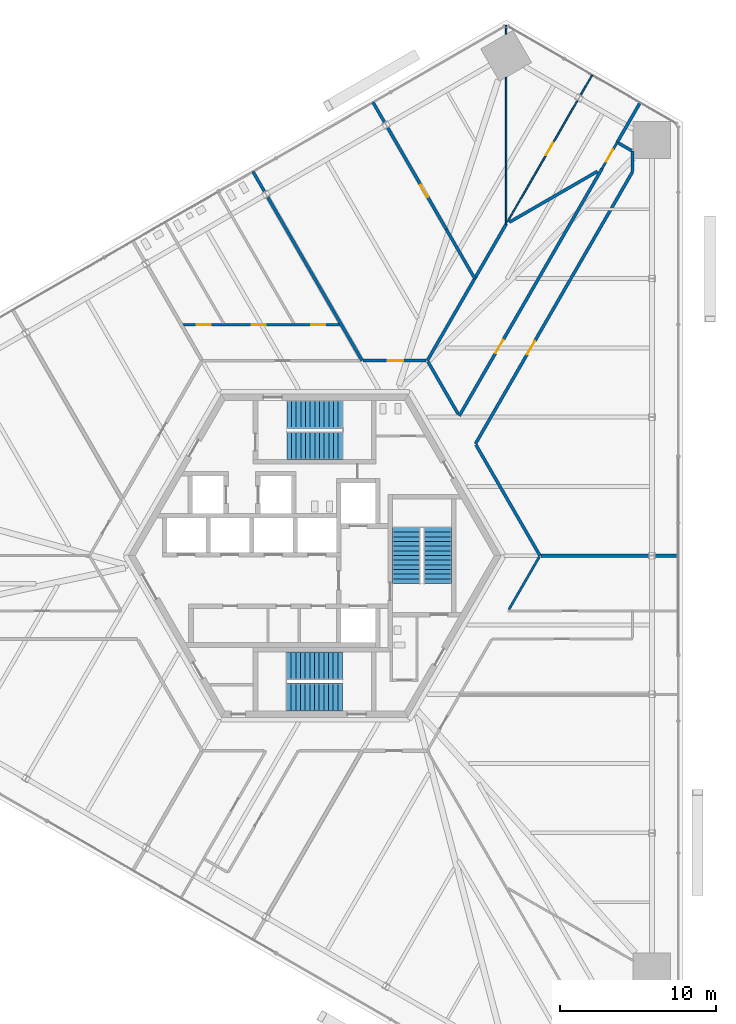
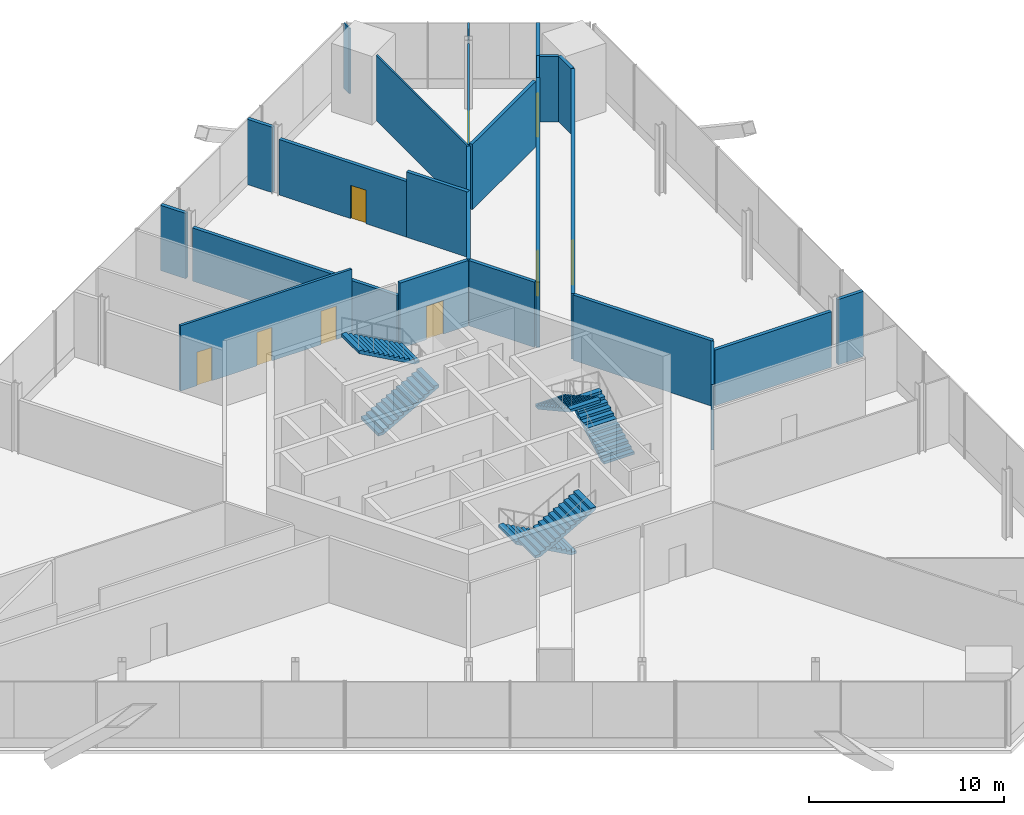
# One storey, part 14 of 16: 24 walls, 9 doors, 6 stair flights, 9 openings, 3 elements without a shape of their own.
"""IFC4 building model written with IfcOpenShell, lengths in metres."""

from ifc_helpers import new_model, si_unit, direction, frame, frame_2d, origin, place, context, subcontext, project, spatial, polyline, rectangle, outline, extrude, source, transform, mapped, material, layer, layer_set, type_object, element, fill, aggregate, save


model = new_model("IFC4")

# Units and contexts
model_context = context("Model", 3, precision=1e-05, world=origin(), true_north=direction((0.0, 1.0)))
body_context = subcontext(model_context, "Body", "Model", "MODEL_VIEW")
ifc_project = project(units=[si_unit("LENGTHUNIT", "METRE"), si_unit("AREAUNIT", "SQUARE_METRE"), si_unit("VOLUMEUNIT", "CUBIC_METRE"), si_unit("PLANEANGLEUNIT", "RADIAN"), si_unit("MASSUNIT", "GRAM", prefix="KILO")], contexts=[model_context])

# Site, building, storey
site_placement = place(None, origin())
site = spatial("IfcSite", under=ifc_project, at=site_placement, CompositionType="ELEMENT")
building_placement = place(site_placement, origin())
building = spatial("IfcBuilding", under=site, at=building_placement, Name="Triune Harvest Tower", CompositionType="ELEMENT")
storey_placement = place(building_placement, frame((0.0, 0.0, 20.300048828125)))
storey = spatial("IfcBuildingStorey", under=building, at=storey_placement, Name="L04", CompositionType="ELEMENT", Elevation=20.300048828125)

# Wall
ifc_material_1 = material(Name="Gypsum board on steel studs", Category="steel")
ifc_layer_1 = layer(ifc_material_1, 0.199951171875)
ifc_layer_set_1 = layer_set([ifc_layer_1], Name="Gypsum board on steel studs")
wall_type_1 = type_object("IfcWallType", Name="Fire Wall 200 mm", PredefinedType="PARTITIONING", material=ifc_layer_set_1)
shared_shape_1 = source(origin(), body_context, "Body", "SweptSolid", [
    extrude(rectangle(XDim=12.14794921875, YDim=0.199951171875, at=frame_2d((6.073974609375, 0.0))), origin(), (0.0, 0.0, 1.0), 3.343017578125),
])
wall_1_placement = place(storey_placement, frame((-3.02685546875, 23.062744140625, 0.0), z_axis=(0.0, 0.0, 1.0), x_axis=(0.499997320042, -0.866026951053, 0.0)))
element("IfcWall", 1, at=wall_1_placement, inside=storey, type_object=wall_type_1, Name="Partition L04 012", PredefinedType="PARTITIONING", context=body_context, shape_type="MappedRepresentation", body=[
    mapped(shared_shape_1, transform((0.0, 0.0, 0.0), scale=1.0)),
])

# Wall, opening, door
shared_shape_2 = source(origin(), body_context, "Body", "SweptSolid", [
    extrude(rectangle(XDim=7.568359375, YDim=0.199951171875, at=frame_2d((3.7841796875, 0.0))), origin(), (0.0, 0.0, 1.0), 3.48779296875),
])
wall_2_placement = place(storey_placement, frame((4.689453125, 27.517578125, 0.0), z_axis=(0.0, 0.0, 1.0), x_axis=(0.499997032024, -0.866027117339, 0.0)))
wall_2 = element("IfcWall", 2, at=wall_2_placement, inside=storey, type_object=wall_type_1, Name="Partition L04 016", PredefinedType="PARTITIONING", context=body_context, shape_type="MappedRepresentation", body=[
    mapped(shared_shape_2, transform((0.0, 0.0, 0.0), scale=1.0)),
])
opening_1_placement = place(wall_2_placement, frame((4.248046875, 0.0, 0.0)))
opening_1 = element("IfcOpeningElement", 3, at=opening_1_placement, cuts=wall_2, Name="Opening L04-008", PredefinedType="OPENING", context=body_context, shape_type="SweptSolid", body=[
    extrude(rectangle(XDim=0.89990234375, YDim=2.10009765625, at=frame_2d((0.449951171875, 1.050048828125))), frame((0.0, 0.10986328125, 0.0), z_axis=(0.0, -1.0, 0.0), x_axis=(1.0, 0.0, 0.0)), (0.0, 0.0, 1.0), 0.219970703125),
])
ifc_material_2 = material(Name="Timber and steel door set", Category="steel")
door_type_1 = type_object("IfcDoorType", Name="Single leaf door FD60 left hand 900 x 2100", OperationType="SINGLE_SWING_LEFT", PredefinedType="DOOR", material=ifc_material_2)
door_1_placement = place(opening_1_placement, origin())
door_1 = element("IfcDoor", 4, at=door_1_placement, inside=storey, type_object=door_type_1, Name="Door L04-008 Cold Store 04.08", OperationType="SINGLE_SWING_LEFT", OverallHeight=2.10009765625, OverallWidth=0.89990234375, PredefinedType="DOOR", context=body_context, shape_type="SweptSolid", body=[
    extrude(rectangle(XDim=0.89990234375, YDim=2.10009765625, at=frame_2d((0.449951171875, 1.050048828125))), frame((0.0, 0.02490234375, 0.0), z_axis=(0.0, -1.0, 0.0), x_axis=(1.0, 0.0, 0.0)), (0.0, 0.0, 1.0), 0.050048828125),
])
fill(opening_1, door_1)

# Walls
shared_shape_3 = source(origin(), body_context, "Body", "SweptSolid", [
    extrude(rectangle(XDim=8.229248046875, YDim=0.199951171875, at=frame_2d((4.11474609375, 0.0))), origin(), (0.0, 0.0, 1.0), 4.099853515625),
])
wall_3_placement = place(storey_placement, frame((10.367919921875, 7.126708984375, 0.0), z_axis=(0.0, 0.0, 1.0), x_axis=(0.500012644715, -0.866018103232, 0.0)))
element("IfcWall", 5, at=wall_3_placement, inside=storey, type_object=wall_type_1, Name="Partition L04 014", PredefinedType="PARTITIONING", context=body_context, shape_type="MappedRepresentation", body=[
    mapped(shared_shape_3, transform((0.0, 0.0, 0.0), scale=1.0)),
])
shared_shape_4 = source(origin(), body_context, "Body", "SweptSolid", [
    extrude(rectangle(XDim=1.49853515625, YDim=0.199951171875, at=frame_2d((0.749267578125, 0.0))), origin(), (0.0, 0.0, 1.0), 4.099853515625),
])
for number, where, z_axis, x_axis, name in (
    (6, (3.746826171875, 29.150146484375, 0.0), (0.0, 0.0, 1.0), (0.499976292358, -0.866039090965, 0.0), "Partition L04 015"),
    (7, (21.872802734375, 0.0, 0.0), (0.0, 0.0, 1.0), (1.0, 0.0, 0.0), "Partition L04 037"),
):
    element("IfcWall", number, at=place(storey_placement, frame(where, z_axis=z_axis, x_axis=x_axis)), inside=storey, type_object=wall_type_1, Name=name, PredefinedType="PARTITIONING", context=body_context, shape_type="MappedRepresentation", body=[
        mapped(shared_shape_4, transform((0.0, 0.0, 0.0), scale=1.0)),
    ])
shared_shape_5 = source(origin(), body_context, "Body", "SweptSolid", [
    extrude(rectangle(XDim=6.933837890625, YDim=0.199951171875, at=frame_2d((3.466796875, 0.0))), origin(), (0.0, 0.0, 1.0), 3.48779296875),
])
wall_4_placement = place(storey_placement, frame((14.552490234375, 0.0, 0.0), z_axis=(0.0, 0.0, 1.0), x_axis=(1.0, 0.0, 0.0)))
element("IfcWall", 8, at=wall_4_placement, inside=storey, type_object=wall_type_1, Name="Partition L04 036", PredefinedType="PARTITIONING", context=body_context, shape_type="MappedRepresentation", body=[
    mapped(shared_shape_5, transform((0.0, 0.0, 0.0), scale=1.0)),
])
ifc_material_3 = material(Name="Gypsum board on steel studs", Category="steel")
ifc_layer_2 = layer(ifc_material_3, 0.10009765625)
ifc_layer_set_2 = layer_set([ifc_layer_2], Name="Gypsum board on steel studs")
wall_type_2 = type_object("IfcWallType", Name="Partition 100 mm", PredefinedType="PARTITIONING", material=ifc_layer_set_2)
shared_shape_6 = source(origin(), body_context, "Body", "SweptSolid", [
    extrude(rectangle(XDim=1.498779296875, YDim=0.10009765625, at=frame_2d((0.74951171875, 0.0))), origin(), (0.0, 0.0, 1.0), 4.099853515625),
])
wall_5_placement = place(storey_placement, frame((17.0908203125, 29.602294921875, 0.0), z_axis=(0.0, 0.0, 1.0), x_axis=(0.499905760005, 0.866079806435, 0.0)))
element("IfcWall", 9, at=wall_5_placement, inside=storey, type_object=wall_type_2, Name="Partition L04 058", PredefinedType="PARTITIONING", context=body_context, shape_type="MappedRepresentation", body=[
    mapped(shared_shape_6, transform((0.0, 0.0, 0.0), scale=1.0)),
])
shared_shape_7 = source(origin(), body_context, "Body", "SweptSolid", [
    extrude(rectangle(XDim=1.498779296875, YDim=0.199951171875, at=frame_2d((0.74951171875, 0.0))), origin(), (0.0, 0.0, 1.0), 4.099853515625),
])
wall_6_placement = place(storey_placement, frame((-3.969482421875, 24.6953125, 0.0), z_axis=(0.0, 0.0, 1.0), x_axis=(0.499905760005, -0.866079806435, 0.0)))
element("IfcWall", 10, at=wall_6_placement, inside=storey, type_object=wall_type_1, Name="Partition L04 011", PredefinedType="PARTITIONING", context=body_context, shape_type="MappedRepresentation", body=[
    mapped(shared_shape_7, transform((0.0, 0.0, 0.0), scale=1.0)),
])
shared_shape_8 = source(origin(), body_context, "Body", "SweptSolid", [
    extrude(rectangle(XDim=3.885009765625, YDim=0.199951171875, at=frame_2d((1.9423828125, 0.0))), origin(), (0.0, 0.0, 1.0), 4.099853515625),
])
wall_7_placement = place(storey_placement, frame((7.2763671875, 12.481689453125, 0.0), z_axis=(0.0, 0.0, 1.0), x_axis=(0.499978127697, -0.866038031396, 0.0)))
element("IfcWall", 11, at=wall_7_placement, inside=storey, type_object=wall_type_1, Name="Partition L04 013", PredefinedType="PARTITIONING", context=body_context, shape_type="MappedRepresentation", body=[
    mapped(shared_shape_8, transform((0.0, 0.0, 0.0), scale=1.0)),
])
shared_shape_9 = source(origin(), body_context, "Body", "SweptSolid", [
    extrude(rectangle(XDim=3.62939453125, YDim=0.199951171875, at=frame_2d((1.814697265625, 0.0))), origin(), (0.0, 0.0, 1.0), 4.099853515625),
])
wall_8_placement = place(storey_placement, frame((8.4736328125, 20.963134765625, 0.0), z_axis=(0.0, 0.0, 1.0), x_axis=(0.500009718699, -0.866019792618, 0.0)))
element("IfcWall", 12, at=wall_8_placement, inside=storey, type_object=wall_type_1, Name="Partition L04 016a", PredefinedType="PARTITIONING", context=body_context, shape_type="MappedRepresentation", body=[
    mapped(shared_shape_9, transform((0.0, 0.0, 0.0), scale=1.0)),
])
shared_shape_10 = source(origin(), body_context, "Body", "SweptSolid", [
    extrude(rectangle(XDim=1.303466796875, YDim=0.199951171875, at=frame_2d((0.65185546875, 0.0))), origin(), (0.0, 0.0, 1.0), 4.099853515625),
])
wall_9_placement = place(storey_placement, frame((20.429443359375, 24.704833984375, 0.0), z_axis=(0.0, 0.0, 1.0), x_axis=(0.0, 1.0, 0.0)))
element("IfcWall", 13, at=wall_9_placement, inside=storey, type_object=wall_type_1, Name="Partition L04 062", PredefinedType="PARTITIONING", context=body_context, shape_type="MappedRepresentation", body=[
    mapped(shared_shape_10, transform((0.0, 0.0, 0.0), scale=1.0)),
])
shared_shape_11 = source(origin(), body_context, "Body", "SweptSolid", [
    extrude(rectangle(XDim=0.9833984375, YDim=0.199951171875, at=frame_2d((0.49169921875, 0.0))), origin(), (0.0, 0.0, 1.0), 4.099853515625),
])
wall_10_placement = place(storey_placement, frame((19.517333984375, 26.534912109375, 0.0), z_axis=(0.0, 0.0, 1.0), x_axis=(0.866003658127, -0.500037662692, 0.0)))
element("IfcWall", 14, at=wall_10_placement, inside=storey, type_object=wall_type_1, Name="Partition L04 021", PredefinedType="PARTITIONING", context=body_context, shape_type="MappedRepresentation", body=[
    mapped(shared_shape_11, transform((0.0, 0.0, 0.0), scale=1.0)),
])
ifc_material_4 = material(Name="Gypsum board on steel studs", Category="steel")
ifc_layer_3 = layer(ifc_material_4, 0.14990234375)
ifc_layer_set_3 = layer_set([ifc_layer_3], Name="Gypsum board on steel studs")
wall_type_3 = type_object("IfcWallType", Name="Fire Partition 150 mm", PredefinedType="PARTITIONING", material=ifc_layer_set_3)
shared_shape_12 = source(origin(), body_context, "Body", "SweptSolid", [
    extrude(rectangle(XDim=3.925048828125, YDim=0.14990234375, at=frame_2d((1.96240234375, 0.0))), origin(), (0.0, 0.0, 1.0), 4.099853515625),
])
wall_11_placement = place(storey_placement, frame((12.485107421875, -3.459716796875, 0.0), z_axis=(0.0, 0.0, 1.0), x_axis=(0.499979109433, 0.866037464623, 0.0)))
element("IfcWall", 15, at=wall_11_placement, inside=storey, type_object=wall_type_3, Name="Partition L04 044", PredefinedType="PARTITIONING", context=body_context, shape_type="MappedRepresentation", body=[
    mapped(shared_shape_12, transform((0.0, 0.0, 0.0), scale=1.0)),
])

# Wall, opening, door
shared_shape_13 = source(origin(), body_context, "Body", "SweptSolid", [
    extrude(rectangle(XDim=4.057861328125, YDim=0.199951171875, at=frame_2d((2.02880859375, 0.0))), origin(), (0.0, 0.0, 1.0), 4.099853515625),
])
wall_12_placement = place(storey_placement, frame((3.113525390625, 12.542236328125, 0.0), z_axis=(0.0, 0.0, 1.0), x_axis=(1.0, 0.0, 0.0)))
wall_12 = element("IfcWall", 16, at=wall_12_placement, inside=storey, type_object=wall_type_1, Name="Partition L04 039", PredefinedType="PARTITIONING", context=body_context, shape_type="MappedRepresentation", body=[
    mapped(shared_shape_13, transform((0.0, 0.0, 0.0), scale=1.0)),
])
opening_2_placement = place(wall_12_placement, frame((1.57763671875, 0.0, 0.0)))
opening_2 = element("IfcOpeningElement", 17, at=opening_2_placement, cuts=wall_12, Name="Opening L04-009", PredefinedType="OPENING", context=body_context, shape_type="SweptSolid", body=[
    extrude(rectangle(XDim=1.0, YDim=2.10009765625, at=frame_2d((0.5, 1.050048828125))), frame((0.0, 0.10986328125, 0.0), z_axis=(0.0, -1.0, 0.0), x_axis=(1.0, 0.0, 0.0)), (0.0, 0.0, 1.0), 0.219970703125),
])
ifc_material_5 = material(Name="Timber and steel door set", Category="steel")
door_type_2 = type_object("IfcDoorType", Name="Wide single leaf door FD60 right hand 1000 x 2100", OperationType="SINGLE_SWING_RIGHT", PredefinedType="DOOR", material=ifc_material_5)
door_2_placement = place(opening_2_placement, origin())
door_2 = element("IfcDoor", 18, at=door_2_placement, inside=storey, type_object=door_type_2, Name="Door L04-009 Growing Room 04.09", OperationType="SINGLE_SWING_RIGHT", OverallHeight=2.10009765625, OverallWidth=1.0, PredefinedType="DOOR", context=body_context, shape_type="SweptSolid", body=[
    extrude(rectangle(XDim=1.0, YDim=2.10009765625, at=frame_2d((0.5, 1.050048828125))), frame((0.0, 0.02490234375, 0.0), z_axis=(0.0, -1.0, 0.0), x_axis=(1.0, 0.0, 0.0)), (0.0, 0.0, 1.0), 0.050048828125),
])
fill(opening_2, door_2)

# Wall, openings, doors
shared_shape_14 = source(origin(), body_context, "Body", "SweptSolid", [
    extrude(rectangle(XDim=10.158203125, YDim=0.14990234375, at=frame_2d((5.0791015625, 0.0))), origin(), (0.0, 0.0, 1.0), 4.099853515625),
])
wall_13_placement = place(storey_placement, frame((-8.569091796875, 14.84228515625, 0.0), z_axis=(0.0, 0.0, 1.0), x_axis=(1.0, 0.0, 0.0)))
wall_13 = element("IfcWall", 19, at=wall_13_placement, inside=storey, type_object=wall_type_3, Name="Partition L04 040", PredefinedType="PARTITIONING", context=body_context, shape_type="MappedRepresentation", body=[
    mapped(shared_shape_14, transform((0.0, 0.0, 0.0), scale=1.0)),
])
opening_3_placement = place(wall_13_placement, frame((8.33837890625, 0.0, 0.0)))
opening_3 = element("IfcOpeningElement", 20, at=opening_3_placement, cuts=wall_13, Name="Opening L04-011", PredefinedType="OPENING", context=body_context, shape_type="SweptSolid", body=[
    extrude(rectangle(XDim=0.89990234375, YDim=2.10009765625, at=frame_2d((0.449951171875, 1.050048828125))), frame((0.0, 0.0849609375, 0.0), z_axis=(0.0, -1.0, 0.0), x_axis=(1.0, 0.0, 0.0)), (0.0, 0.0, 1.0), 0.169921875),
])
opening_4_placement = place(wall_13_placement, frame((4.531494140625, 0.0, 0.0)))
opening_4 = element("IfcOpeningElement", 21, at=opening_4_placement, cuts=wall_13, Name="Opening L04-012", PredefinedType="OPENING", context=body_context, shape_type="SweptSolid", body=[
    extrude(rectangle(XDim=0.89990234375, YDim=2.10009765625, at=frame_2d((0.449951171875, 1.050048828125))), frame((0.0, 0.0849609375, 0.0), z_axis=(0.0, -1.0, 0.0), x_axis=(1.0, 0.0, 0.0)), (0.0, 0.0, 1.0), 0.169921875),
])
opening_5_placement = place(wall_13_placement, frame((0.97119140625, 0.0, 0.0)))
opening_5 = element("IfcOpeningElement", 22, at=opening_5_placement, cuts=wall_13, Name="Opening L04-013", PredefinedType="OPENING", context=body_context, shape_type="SweptSolid", body=[
    extrude(rectangle(XDim=0.89990234375, YDim=2.10009765625, at=frame_2d((0.449951171875, 1.050048828125))), frame((0.0, 0.0849609375, 0.0), z_axis=(0.0, -1.0, 0.0), x_axis=(1.0, 0.0, 0.0)), (0.0, 0.0, 1.0), 0.169921875),
])
ifc_material_6 = material(Name="Timber and steel door set", Category="steel")
door_type_3 = type_object("IfcDoorType", Name="Single leaf door FD30 left hand 900 x 2100", OperationType="SINGLE_SWING_LEFT", PredefinedType="DOOR", material=ifc_material_6)
door_3_placement = place(opening_4_placement, origin())
door_3 = element("IfcDoor", 23, at=door_3_placement, inside=storey, type_object=door_type_3, Name="Door L04-012 Men's WC 04.12", OperationType="SINGLE_SWING_LEFT", OverallHeight=2.10009765625, OverallWidth=0.89990234375, PredefinedType="DOOR", context=body_context, shape_type="SweptSolid", body=[
    extrude(rectangle(XDim=0.89990234375, YDim=2.10009765625, at=frame_2d((0.449951171875, 1.050048828125))), frame((0.0, 0.02490234375, 0.0), z_axis=(0.0, -1.0, 0.0), x_axis=(1.0, 0.0, 0.0)), (0.0, 0.0, 1.0), 0.050048828125),
])
fill(opening_4, door_3)
door_4_placement = place(opening_5_placement, origin())
door_4 = element("IfcDoor", 24, at=door_4_placement, inside=storey, type_object=door_type_3, Name="Door L04-013 Accessible WC 04.13", OperationType="SINGLE_SWING_LEFT", OverallHeight=2.10009765625, OverallWidth=0.89990234375, PredefinedType="DOOR", context=body_context, shape_type="SweptSolid", body=[
    extrude(rectangle(XDim=0.89990234375, YDim=2.10009765625, at=frame_2d((0.449951171875, 1.050048828125))), frame((0.0, 0.02490234375, 0.0), z_axis=(0.0, -1.0, 0.0), x_axis=(1.0, 0.0, 0.0)), (0.0, 0.0, 1.0), 0.050048828125),
])
fill(opening_5, door_4)
ifc_material_7 = material(Name="Timber and steel door set", Category="steel")
door_type_4 = type_object("IfcDoorType", Name="Single leaf door FD30 right hand 900 x 2100", OperationType="SINGLE_SWING_RIGHT", PredefinedType="DOOR", material=ifc_material_7)
door_5_placement = place(opening_3_placement, origin())
door_5 = element("IfcDoor", 25, at=door_5_placement, inside=storey, type_object=door_type_4, Name="Door L04-011 Women's WC 04.11", OperationType="SINGLE_SWING_RIGHT", OverallHeight=2.10009765625, OverallWidth=0.89990234375, PredefinedType="DOOR", context=body_context, shape_type="SweptSolid", body=[
    extrude(rectangle(XDim=0.89990234375, YDim=2.10009765625, at=frame_2d((0.449951171875, 1.050048828125))), frame((0.0, 0.02490234375, 0.0), z_axis=(0.0, -1.0, 0.0), x_axis=(1.0, 0.0, 0.0)), (0.0, 0.0, 1.0), 0.050048828125),
])
fill(opening_3, door_5)

# Wall
shared_shape_15 = source(origin(), body_context, "Body", "SweptSolid", [
    extrude(rectangle(XDim=6.55029296875, YDim=0.199951171875, at=frame_2d((3.275146484375, 0.0))), origin(), (0.0, 0.0, 1.0), 4.099853515625),
])
wall_14_placement = place(storey_placement, frame((12.50830078125, 21.434814453125, 0.0), z_axis=(0.0, 0.0, 1.0), x_axis=(0.866021102686, 0.500007449647, 0.0)))
element("IfcWall", 26, at=wall_14_placement, inside=storey, type_object=wall_type_1, Name="Partition L04 042", PredefinedType="PARTITIONING", context=body_context, shape_type="MappedRepresentation", body=[
    mapped(shared_shape_15, transform((0.0, 0.0, 0.0), scale=1.0)),
])

# Wall, opening, door
shared_shape_16 = source(origin(), body_context, "Body", "SweptSolid", [
    extrude(rectangle(XDim=20.19287109375, YDim=0.199951171875, at=frame_2d((10.096435546875, 0.0))), origin(), (0.0, 0.0, 1.0), 4.099853515625),
])
wall_15_placement = place(storey_placement, frame((10.3330078125, 7.187255859375, 0.0), z_axis=(0.0, 0.0, 1.0), x_axis=(0.499999796593, 0.866025521222, 0.0)))
wall_15 = element("IfcWall", 27, at=wall_15_placement, inside=storey, type_object=wall_type_1, Name="Partition L04 048", PredefinedType="PARTITIONING", context=body_context, shape_type="MappedRepresentation", body=[
    mapped(shared_shape_16, transform((0.0, 0.0, 0.0), scale=1.0)),
])
opening_6_placement = place(wall_15_placement, frame((6.63916015625, 0.0, 0.0)))
opening_6 = element("IfcOpeningElement", 28, at=opening_6_placement, cuts=wall_15, Name="Opening L04-005", PredefinedType="OPENING", context=body_context, shape_type="SweptSolid", body=[
    extrude(rectangle(XDim=1.0, YDim=2.10009765625, at=frame_2d((0.5, 1.050048828125))), frame((0.0, 0.10986328125, 0.0), z_axis=(0.0, -1.0, 0.0), x_axis=(1.0, 0.0, 0.0)), (0.0, 0.0, 1.0), 0.219970703125),
])
door_6_placement = place(opening_6_placement, origin())
door_6 = element("IfcDoor", 29, at=door_6_placement, inside=storey, type_object=door_type_2, Name="Door L04-005 Growing Room 04.05", OperationType="SINGLE_SWING_RIGHT", OverallHeight=2.10009765625, OverallWidth=1.0, PredefinedType="DOOR", context=body_context, shape_type="SweptSolid", body=[
    extrude(rectangle(XDim=1.0, YDim=2.10009765625, at=frame_2d((0.5, 1.050048828125))), frame((0.0, 0.02490234375, 0.0), z_axis=(0.0, -1.0, 0.0), x_axis=(1.0, 0.0, 0.0)), (0.0, 0.0, 1.0), 0.050048828125),
])
fill(opening_6, door_6)

shared_shape_17 = source(origin(), body_context, "Body", "SweptSolid", [
    extrude(rectangle(XDim=18.3515625, YDim=0.199951171875, at=frame_2d((9.17578125, 0.0))), origin(), (0.0, 0.0, 1.0), 4.099853515625),
])
wall_16_placement = place(storey_placement, frame((9.2939453125, 8.9873046875, 0.0), z_axis=(0.0, 0.0, 1.0), x_axis=(0.500002290144, 0.866024081565, 0.0)))
wall_16 = element("IfcWall", 30, at=wall_16_placement, inside=storey, type_object=wall_type_1, Name="Partition L04 051", PredefinedType="PARTITIONING", context=body_context, shape_type="MappedRepresentation", body=[
    mapped(shared_shape_17, transform((0.0, 0.0, 0.0), scale=1.0)),
])
opening_7_placement = place(wall_16_placement, frame((4.649169921875, 0.0, 0.0)))
opening_7 = element("IfcOpeningElement", 31, at=opening_7_placement, cuts=wall_16, Name="Opening L04-004", PredefinedType="OPENING", context=body_context, shape_type="SweptSolid", body=[
    extrude(rectangle(XDim=1.0, YDim=2.10009765625, at=frame_2d((0.5, 1.050048828125))), frame((0.0, 0.10986328125, 0.0), z_axis=(0.0, -1.0, 0.0), x_axis=(1.0, 0.0, 0.0)), (0.0, 0.0, 1.0), 0.219970703125),
])
ifc_material_8 = material(Name="Timber and steel door set", Category="steel")
door_type_5 = type_object("IfcDoorType", Name="Wide single leaf door FD60 left hand 1000 x 2100", OperationType="SINGLE_SWING_LEFT", PredefinedType="DOOR", material=ifc_material_8)
door_7_placement = place(opening_7_placement, origin())
door_7 = element("IfcDoor", 32, at=door_7_placement, inside=storey, type_object=door_type_5, Name="Door L04-004 Growing Room 04.04", OperationType="SINGLE_SWING_LEFT", OverallHeight=2.10009765625, OverallWidth=1.0, PredefinedType="DOOR", context=body_context, shape_type="SweptSolid", body=[
    extrude(rectangle(XDim=1.0, YDim=2.10009765625, at=frame_2d((0.5, 1.050048828125))), frame((0.0, 0.02490234375, 0.0), z_axis=(0.0, -1.0, 0.0), x_axis=(1.0, 0.0, 0.0)), (0.0, 0.0, 1.0), 0.050048828125),
])
fill(opening_7, door_7)

shared_shape_18 = source(origin(), body_context, "Body", "SweptSolid", [
    extrude(rectangle(XDim=1.954833984375, YDim=0.14990234375, at=frame_2d((0.9775390625, 0.0))), origin(), (0.0, 0.0, 1.0), 4.099853515625),
])
wall_17_placement = place(storey_placement, frame((18.4697265625, 24.880126953125, 0.0), z_axis=(0.0, 0.0, 1.0), x_axis=(0.500061185694, 0.865990075325, 0.0)))
wall_17 = element("IfcWall", 33, at=wall_17_placement, inside=storey, type_object=wall_type_3, Name="Partition L04 052", PredefinedType="PARTITIONING", context=body_context, shape_type="MappedRepresentation", body=[
    mapped(shared_shape_18, transform((0.0, 0.0, 0.0), scale=1.0)),
])
opening_8_placement = place(wall_17_placement, frame((0.516845703125, 0.0, 0.0)))
opening_8 = element("IfcOpeningElement", 34, at=opening_8_placement, cuts=wall_17, Name="Opening L04-006", PredefinedType="OPENING", context=body_context, shape_type="SweptSolid", body=[
    extrude(rectangle(XDim=0.89990234375, YDim=2.10009765625, at=frame_2d((0.449951171875, 1.050048828125))), frame((0.0, 0.0849609375, 0.0), z_axis=(0.0, -1.0, 0.0), x_axis=(1.0, 0.0, 0.0)), (0.0, 0.0, 1.0), 0.169921875),
])
door_8_placement = place(opening_8_placement, origin())
door_8 = element("IfcDoor", 35, at=door_8_placement, inside=storey, type_object=door_type_3, Name="Door L04-006 Packing Room 04.06", OperationType="SINGLE_SWING_LEFT", OverallHeight=2.10009765625, OverallWidth=0.89990234375, PredefinedType="DOOR", context=body_context, shape_type="SweptSolid", body=[
    extrude(rectangle(XDim=0.89990234375, YDim=2.10009765625, at=frame_2d((0.449951171875, 1.050048828125))), frame((0.0, 0.02490234375, 0.0), z_axis=(0.0, -1.0, 0.0), x_axis=(1.0, 0.0, 0.0)), (0.0, 0.0, 1.0), 0.050048828125),
])
fill(opening_8, door_8)

# Walls
shared_shape_19 = source(origin(), body_context, "Body", "SweptSolid", [
    extrude(rectangle(XDim=2.94384765625, YDim=0.199951171875, at=frame_2d((1.471923828125, 0.0))), origin(), (0.0, 0.0, 1.0), 4.099853515625),
])
wall_18_placement = place(storey_placement, frame((19.447265625, 26.572998046875, 0.0), z_axis=(0.0, 0.0, 1.0), x_axis=(0.499983277472, 0.866035058325, 0.0)))
element("IfcWall", 36, at=wall_18_placement, inside=storey, type_object=wall_type_1, Name="Partition L04 053", PredefinedType="PARTITIONING", context=body_context, shape_type="MappedRepresentation", body=[
    mapped(shared_shape_19, transform((0.0, 0.0, 0.0), scale=1.0)),
])
shared_shape_20 = source(origin(), body_context, "Body", "SweptSolid", [
    extrude(rectangle(XDim=10.1357421875, YDim=0.199951171875, at=frame_2d((5.06787109375, 0.0))), origin(), (0.0, 0.0, 1.0), 4.099853515625),
])
wall_19_placement = place(storey_placement, frame((7.2412109375, 12.542236328125, 0.0), z_axis=(0.0, 0.0, 1.0), x_axis=(0.49999906822, 0.866025941747, 0.0)))
element("IfcWall", 37, at=wall_19_placement, inside=storey, type_object=wall_type_1, Name="Partition L04 056", PredefinedType="PARTITIONING", context=body_context, shape_type="MappedRepresentation", body=[
    mapped(shared_shape_20, transform((0.0, 0.0, 0.0), scale=1.0)),
])

# Wall, opening, door
shared_shape_21 = source(origin(), body_context, "Body", "SweptSolid", [
    extrude(rectangle(XDim=9.027099609375, YDim=0.10009765625, at=frame_2d((4.513671875, 0.0))), origin(), (0.0, 0.0, 1.0), 4.099853515625),
])
wall_20_placement = place(storey_placement, frame((12.384033203125, 21.449951171875, 0.0), z_axis=(0.0, 0.0, 1.0), x_axis=(0.500013529965, 0.866017592115, 0.0)))
wall_20 = element("IfcWall", 38, at=wall_20_placement, inside=storey, type_object=wall_type_2, Name="Partition L04 057", PredefinedType="PARTITIONING", context=body_context, shape_type="MappedRepresentation", body=[
    mapped(shared_shape_21, transform((0.0, 0.0, 0.0), scale=1.0)),
])
opening_9_placement = place(wall_20_placement, frame((4.96240234375, 0.0, 0.0)))
opening_9 = element("IfcOpeningElement", 39, at=opening_9_placement, cuts=wall_20, Name="Opening L04-007", PredefinedType="OPENING", context=body_context, shape_type="SweptSolid", body=[
    extrude(rectangle(XDim=0.89990234375, YDim=2.10009765625, at=frame_2d((0.449951171875, 1.050048828125))), frame((0.0, 0.06005859375, 0.0), z_axis=(0.0, -1.0, 0.0), x_axis=(1.0, 0.0, 0.0)), (0.0, 0.0, 1.0), 0.1201171875),
])
ifc_material_9 = material(Name="Timber and steel door set", Category="steel")
door_type_6 = type_object("IfcDoorType", Name="Single leaf door right hand 900 x 2100", OperationType="SINGLE_SWING_RIGHT", PredefinedType="DOOR", material=ifc_material_9)
door_9_placement = place(opening_9_placement, origin())
door_9 = element("IfcDoor", 40, at=door_9_placement, inside=storey, type_object=door_type_6, Name="Door L04-007 Packing Room 04.07", OperationType="SINGLE_SWING_RIGHT", OverallHeight=2.10009765625, OverallWidth=0.89990234375, PredefinedType="DOOR", context=body_context, shape_type="SweptSolid", body=[
    extrude(rectangle(XDim=0.89990234375, YDim=2.10009765625, at=frame_2d((0.449951171875, 1.050048828125))), frame((0.0, 0.02490234375, 0.0), z_axis=(0.0, -1.0, 0.0), x_axis=(1.0, 0.0, 0.0)), (0.0, 0.0, 1.0), 0.050048828125),
])
fill(opening_9, door_9)

# Walls
shared_shape_22 = source(origin(), body_context, "Body", "SweptSolid", [
    extrude(rectangle(XDim=9.44580078125, YDim=0.10009765625, at=frame_2d((4.722900390625, 0.0))), origin(), (0.0, 0.0, 1.0), 4.099853515625),
])
wall_21_placement = place(storey_placement, frame((12.30908203125, 21.320068359375, 0.0), z_axis=(0.0, 0.0, 1.0), x_axis=(0.0, 1.0, 0.0)))
element("IfcWall", 41, at=wall_21_placement, inside=storey, type_object=wall_type_2, Name="Partition L04 063", PredefinedType="PARTITIONING", context=body_context, shape_type="MappedRepresentation", body=[
    mapped(shared_shape_22, transform((0.0, 0.0, 0.0), scale=1.0)),
])
shared_shape_23 = source(origin(), body_context, "Body", "SweptSolid", [
    extrude(rectangle(XDim=0.579345703125, YDim=0.10009765625, at=frame_2d((0.28955078125, 0.0))), origin(), (0.0, 0.0, 1.0), 4.099853515625),
])
wall_22_placement = place(storey_placement, frame((12.30908203125, 33.51416015625, 0.0), z_axis=(0.0, 0.0, 1.0), x_axis=(0.0, 1.0, 0.0)))
element("IfcWall", 42, at=wall_22_placement, inside=storey, type_object=wall_type_2, Name="Partition L04 064", PredefinedType="PARTITIONING", context=body_context, shape_type="MappedRepresentation", body=[
    mapped(shared_shape_23, transform((0.0, 0.0, 0.0), scale=1.0)),
])

# Stair, stair flights
ifc_material_10 = material(Name="Concrete 40 MPa", Category="concrete")
stair_type = type_object("IfcStairType", Name="Exit stair 1800 half turn", PredefinedType="HALF_TURN_STAIR", material=ifc_material_10)
stair_1_placement = place(storey_placement, origin())
stair_1 = element("IfcStair", 43, at=stair_1_placement, inside=storey, type_object=stair_type, Name="Exit stair north", PredefinedType="HALF_TURN_STAIR")
ifc_material_11 = material(Name="Concrete 40 MPa", Category="concrete")
stair_flight_type = type_object("IfcStairFlightType", Name="Stair flight 1800", PredefinedType="STRAIGHT", material=ifc_material_11)
shared_shape_24 = source(origin(), body_context, "Body", "SweptSolid", [
    extrude(outline(polyline([(0.0, 0.0), (0.0, 0.165283203125), (0.300048828125, 0.165283203125), (0.300048828125, 0.330810546875), (0.60009765625, 0.330810546875), (0.60009765625, 0.49609375), (0.89990234375, 0.49609375), (0.89990234375, 0.66162109375), (1.199951171875, 0.66162109375), (1.199951171875, 0.826904296875), (1.5, 0.826904296875), (1.5, 0.9921875), (1.800048828125, 0.9921875), (1.800048828125, 1.15771484375), (2.10009765625, 1.15771484375), (2.10009765625, 1.322998046875), (2.39990234375, 1.322998046875), (2.39990234375, 1.488525390625), (2.699951171875, 1.488525390625), (2.699951171875, 1.65380859375), (3.0, 1.65380859375), (3.0, 1.819091796875), (3.300048828125, 1.819091796875), (3.300048828125, 1.984619140625), (3.60009765625, 1.984619140625), (3.60009765625, 2.14990234375), (3.60009765625, 1.8134765625), (0.310546875, 0.0), (0.0, 0.0)])), frame((0.0, 0.89990234375, 0.0), z_axis=(0.0, -1.0, 0.0), x_axis=(1.0, 0.0, 0.0)), (0.0, 0.0, 1.0), 1.800048828125),
])
stair_flight_1_placement = place(storey_placement, frame((-1.7900390625, 7.090087890625, 0.0), z_axis=(0.0, 0.0, 1.0), x_axis=(1.0, 0.0, 0.0)))
stair_flight_1 = element("IfcStairFlight", 44, at=stair_flight_1_placement, type_object=stair_flight_type, Name="ST-1 flight 1", NumberOfRisers=13, NumberOfTreads=12, PredefinedType="STRAIGHT", RiserHeight=0.16538, TreadLength=0.3, context=body_context, shape_type="MappedRepresentation", body=[
    mapped(shared_shape_24, transform((0.0, 0.0, 0.0), scale=1.0)),
])
stair_flight_2_placement = place(storey_placement, frame((1.81005859375, 9.090087890625, 2.14990234375), z_axis=(0.0, 0.0, 1.0), x_axis=(-1.0, 0.0, 0.0)))
stair_flight_2 = element("IfcStairFlight", 45, at=stair_flight_2_placement, type_object=stair_flight_type, Name="ST-1 flight 2", NumberOfRisers=13, NumberOfTreads=12, PredefinedType="STRAIGHT", RiserHeight=0.16538, TreadLength=0.3, context=body_context, shape_type="MappedRepresentation", body=[
    mapped(shared_shape_24, transform((0.0, 0.0, 0.0), scale=1.0)),
])
aggregate(stair_1, [stair_flight_1, stair_flight_2])

stair_2_placement = place(storey_placement, origin())
stair_2 = element("IfcStair", 46, at=stair_2_placement, inside=storey, type_object=stair_type, Name="Exit stair south", PredefinedType="HALF_TURN_STAIR")
stair_flight_3_placement = place(storey_placement, frame((1.7900390625, -7.090087890625, 0.0), z_axis=(0.0, 0.0, 1.0), x_axis=(-1.0, 0.0, 0.0)))
stair_flight_3 = element("IfcStairFlight", 47, at=stair_flight_3_placement, type_object=stair_flight_type, Name="ST-2 flight 1", NumberOfRisers=13, NumberOfTreads=12, PredefinedType="STRAIGHT", RiserHeight=0.16538, TreadLength=0.3, context=body_context, shape_type="MappedRepresentation", body=[
    mapped(shared_shape_24, transform((0.0, 0.0, 0.0), scale=1.0)),
])
stair_flight_4_placement = place(storey_placement, frame((-1.81005859375, -9.090087890625, 2.14990234375), z_axis=(0.0, 0.0, 1.0), x_axis=(1.0, 0.0, 0.0)))
stair_flight_4 = element("IfcStairFlight", 48, at=stair_flight_4_placement, type_object=stair_flight_type, Name="ST-2 flight 2", NumberOfRisers=13, NumberOfTreads=12, PredefinedType="STRAIGHT", RiserHeight=0.16538, TreadLength=0.3, context=body_context, shape_type="MappedRepresentation", body=[
    mapped(shared_shape_24, transform((0.0, 0.0, 0.0), scale=1.0)),
])
aggregate(stair_2, [stair_flight_3, stair_flight_4])

stair_3_placement = place(storey_placement, origin())
stair_3 = element("IfcStair", 49, at=stair_3_placement, inside=storey, type_object=stair_type, Name="Exit stair east", PredefinedType="HALF_TURN_STAIR")
stair_flight_5_placement = place(storey_placement, frame((7.89990234375, -1.7900390625, 0.0), z_axis=(0.0, 0.0, 1.0), x_axis=(0.0, 1.0, 0.0)))
stair_flight_5 = element("IfcStairFlight", 50, at=stair_flight_5_placement, type_object=stair_flight_type, Name="ST-3 flight 1", NumberOfRisers=13, NumberOfTreads=12, PredefinedType="STRAIGHT", RiserHeight=0.16538, TreadLength=0.3, context=body_context, shape_type="MappedRepresentation", body=[
    mapped(shared_shape_24, transform((0.0, 0.0, 0.0), scale=1.0)),
])
stair_flight_6_placement = place(storey_placement, frame((5.89990234375, 1.81005859375, 2.14990234375), z_axis=(0.0, 0.0, 1.0), x_axis=(0.0, -1.0, 0.0)))
stair_flight_6 = element("IfcStairFlight", 51, at=stair_flight_6_placement, type_object=stair_flight_type, Name="ST-3 flight 2", NumberOfRisers=13, NumberOfTreads=12, PredefinedType="STRAIGHT", RiserHeight=0.16538, TreadLength=0.3, context=body_context, shape_type="MappedRepresentation", body=[
    mapped(shared_shape_24, transform((0.0, 0.0, 0.0), scale=1.0)),
])
aggregate(stair_3, [stair_flight_5, stair_flight_6])

save(model, "model.ifc")
